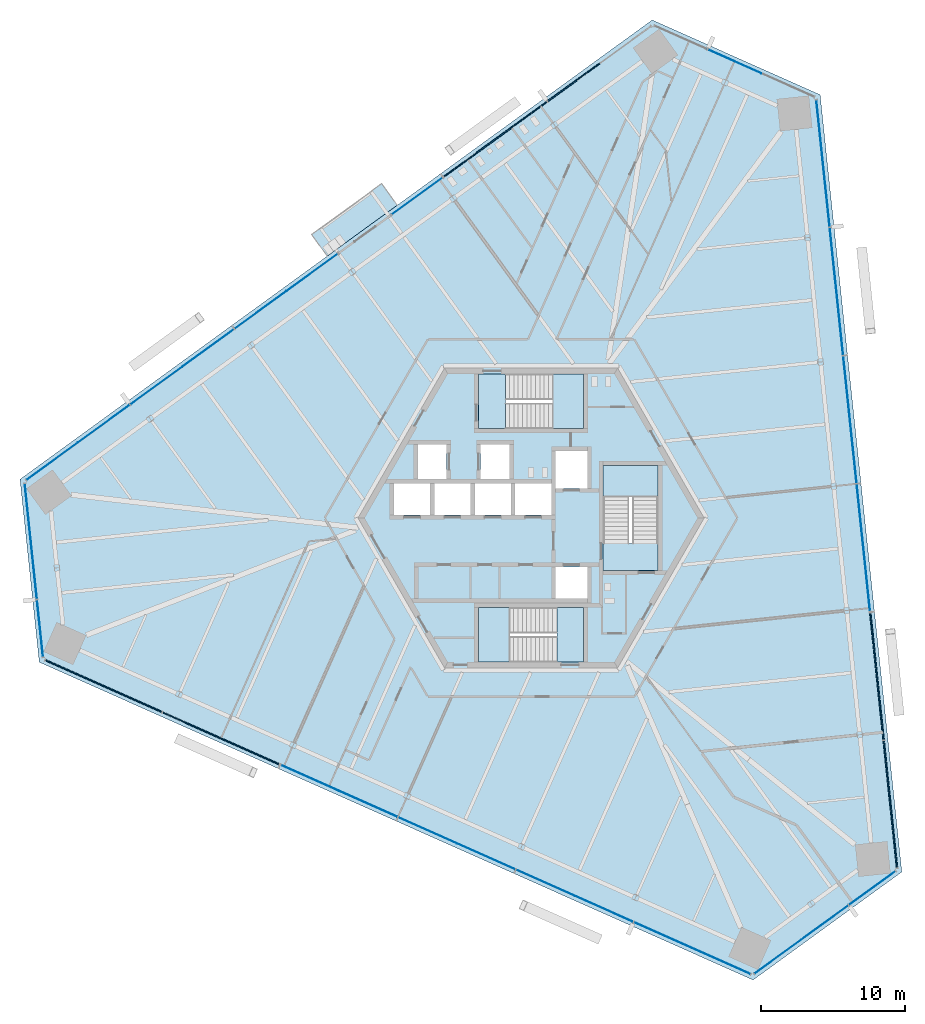
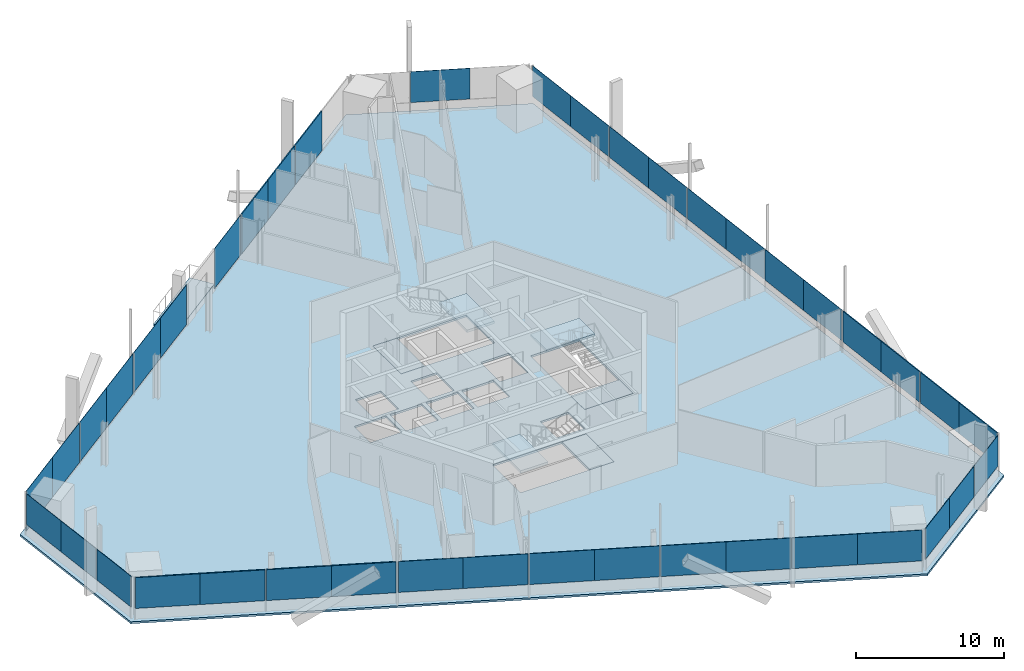
# One storey, part 10 of 21: 41 plates, 8 slabs, 13 elements without a shape of their own.
"""IFC4 building model written with IfcOpenShell, lengths in metres."""

from ifc_helpers import new_model, si_unit, direction, frame, origin, origin_2d, place, context, subcontext, project, spatial, polyline, rectangle, outline, extrude, source, transform, mapped, material, layer, layer_set, type_object, element, aggregate, save


model = new_model("IFC4")

# Units and contexts
model_context = context("Model", 3, precision=1e-05, world=origin(), true_north=direction((0.0, 1.0)))
body_context = subcontext(model_context, "Body", "Model", "MODEL_VIEW")
ifc_project = project(units=[si_unit("LENGTHUNIT", "METRE"), si_unit("AREAUNIT", "SQUARE_METRE"), si_unit("VOLUMEUNIT", "CUBIC_METRE"), si_unit("PLANEANGLEUNIT", "RADIAN"), si_unit("MASSUNIT", "GRAM", prefix="KILO")], contexts=[model_context])

# Site, building, storey
site_placement = place(None, origin())
site = spatial("IfcSite", under=ifc_project, at=site_placement, CompositionType="ELEMENT")
building_placement = place(site_placement, origin())
building = spatial("IfcBuilding", under=site, at=building_placement, Name="Triune Harvest Tower", CompositionType="ELEMENT")
storey_placement = place(building_placement, frame((0.0, 0.0, 65.699951171875)))
storey = spatial("IfcBuildingStorey", under=building, at=storey_placement, Name="L15", CompositionType="ELEMENT", Elevation=65.699951171875)

# Slab
ifc_material_1 = material(Name="Concrete 40 MPa", Category="concrete")
ifc_layer_1 = layer(ifc_material_1, 0.159912109375)
ifc_layer_set_1 = layer_set([ifc_layer_1], Name="Concrete 40 MPa")
slab_type_1 = type_object("IfcSlabType", Name="BA-1 balcony slab 160", PredefinedType="FLOOR", material=ifc_layer_set_1)
slab_1_placement = place(storey_placement, frame((0.0, 0.0, -0.159912109375)))
element("IfcSlab", 1, at=slab_1_placement, inside=storey, type_object=slab_type_1, Name="Balcony slab B2-F3 L15.6", PredefinedType="FLOOR", context=body_context, shape_type="SweptSolid", body=[
    extrude(outline(polyline([(-9.276123046875, 21.687255859375), (-14.13037109375, 18.160400390625), (-15.214599609375, 19.65283203125), (-10.360595703125, 23.1796875), (-9.276123046875, 21.687255859375)])), origin(), (0.0, 0.0, 1.0), 0.159912109375),
])

# Curtain wall, plate
ifc_material_2 = material(Name="Aluminium bronze anodised", Category="aluminium")
curtain_wall_type_1 = type_object("IfcCurtainWallType", Name="CW-6 Balcony window wall", PredefinedType="NOTDEFINED", material=ifc_material_2)
curtain_wall_1_placement = place(storey_placement, origin())
curtain_wall_1 = element("IfcCurtainWall", 2, at=curtain_wall_1_placement, inside=storey, type_object=curtain_wall_type_1, Name="CW-6 B2-F3 L15 run 1001")
ifc_material_3 = material(Name="Glass", Category="glass")
ifc_layer_2 = layer(ifc_material_3, 0.030029296875)
ifc_layer_set_2 = layer_set([ifc_layer_2], Name="Glass")
plate_type_1 = type_object("IfcPlateType", Name="GL-6 panel 30", PredefinedType="CURTAIN_PANEL", material=ifc_layer_set_2)
plate_1_placement = place(storey_placement, frame((-7.9052734375, 22.3125, 0.150146484375), z_axis=(0.0, 0.0, 1.0), x_axis=(-0.809016212983, -0.587786327785, 0.0)))
plate_1 = element("IfcPlate", 3, at=plate_1_placement, type_object=plate_type_1, Name="CW-6 panel B2-F3 1001.1", PredefinedType="CURTAIN_PANEL", context=body_context, shape_type="SweptSolid", body=[
    extrude(rectangle(XDim=4.317626953125, YDim=0.030029296875, at=origin_2d()), origin(), (0.0, 0.0, 1.0), 3.2900390625),
])
aggregate(curtain_wall_1, [plate_1])

# Slab
ifc_material_4 = material(Name="Concrete 40 MPa", Category="concrete")
ifc_layer_3 = layer(ifc_material_4, 0.159912109375)
ifc_layer_set_3 = layer_set([ifc_layer_3], Name="Concrete 40 MPa")
slab_type_2 = type_object("IfcSlabType", Name="SL-1 Composite floor slab 160", PredefinedType="FLOOR", material=ifc_layer_set_3)
shared_shape_1 = source(origin(), body_context, "Body", "SweptSolid", [
    extrude(outline(polyline([(25.703125, -24.534423828125), (20.04052734375, 29.34228515625), (8.395751953125, 34.526611328125), (-35.431396484375, 2.6845703125), (-34.098876953125, -9.992431640625), (15.390869140625, -32.026611328125), (25.703125, -24.534423828125)]), holes=[polyline([(-7.0, 0.2099609375), (-7.0, 2.409912109375), (-9.5, 2.409912109375), (-9.5, 0.2099609375), (-7.0, 0.2099609375)]), polyline([(-4.199951171875, 0.2099609375), (-4.199951171875, 2.409912109375), (-6.699951171875, 2.409912109375), (-6.699951171875, 0.2099609375), (-4.199951171875, 0.2099609375)]), polyline([(-1.39990234375, 0.2099609375), (-1.39990234375, 2.409912109375), (-3.89990234375, 2.409912109375), (-3.89990234375, 0.2099609375), (-1.39990234375, 0.2099609375)]), polyline([(1.39990234375, 0.2099609375), (1.39990234375, 2.409912109375), (-1.10009765625, 2.409912109375), (-1.10009765625, 0.2099609375), (1.39990234375, 0.2099609375)]), polyline([(3.89990234375, 2.06005859375), (3.89990234375, 4.659912109375), (1.699951171875, 4.659912109375), (1.699951171875, 2.06005859375), (3.89990234375, 2.06005859375)]), polyline([(3.89990234375, -5.590087890625), (3.89990234375, -3.389892578125), (1.699951171875, -3.389892578125), (1.699951171875, -5.590087890625), (3.89990234375, -5.590087890625)]), polyline([(-5.85009765625, 2.7099609375), (-5.85009765625, 5.110107421875), (-7.85009765625, 5.110107421875), (-7.85009765625, 2.7099609375), (-5.85009765625, 2.7099609375)]), polyline([(-1.5, 2.7099609375), (-1.5, 5.110107421875), (-3.5, 5.110107421875), (-3.5, 2.7099609375), (-1.5, 2.7099609375)]), polyline([(3.64990234375, 6.18994140625), (3.64990234375, 9.989990234375), (-3.64990234375, 9.989990234375), (-3.64990234375, 6.18994140625), (3.64990234375, 6.18994140625)]), polyline([(3.64990234375, -9.989990234375), (3.64990234375, -6.18994140625), (-3.64990234375, -6.18994140625), (-3.64990234375, -9.989990234375), (3.64990234375, -9.989990234375)]), polyline([(8.800048828125, -3.64990234375), (8.800048828125, 3.64990234375), (5.0, 3.64990234375), (5.0, -3.64990234375), (8.800048828125, -3.64990234375)])]), origin(), (0.0, 0.0, 1.0), 0.159912109375),
])
slab_2_placement = place(storey_placement, frame((0.0, 0.0, -0.159912109375)))
element("IfcSlab", 4, at=slab_2_placement, inside=storey, type_object=slab_type_2, Name="slab/L15/1", PredefinedType="FLOOR", context=body_context, shape_type="MappedRepresentation", body=[
    mapped(shared_shape_1, transform((0.0, 0.0, 0.0), scale=1.0)),
])

# Stair, slabs
ifc_material_5 = material(Name="Concrete 40 MPa", Category="concrete")
stair_type = type_object("IfcStairType", Name="Exit stair 1800 half turn", PredefinedType="HALF_TURN_STAIR", material=ifc_material_5)
stair_1_placement = place(storey_placement, origin())
stair_1 = element("IfcStair", 5, at=stair_1_placement, inside=storey, type_object=stair_type, Name="Exit stair north", PredefinedType="HALF_TURN_STAIR")
ifc_material_6 = material(Name="Concrete 40 MPa", Category="concrete")
ifc_layer_4 = layer(ifc_material_6, 0.199951171875)
ifc_layer_set_4 = layer_set([ifc_layer_4], Name="Concrete 40 MPa")
slab_type_3 = type_object("IfcSlabType", Name="Stair landing 200", PredefinedType="LANDING", material=ifc_layer_set_4)
shared_shape_2 = source(origin(), body_context, "Body", "SweptSolid", [
    extrude(outline(polyline([(1.510009765625, 6.18994140625), (3.64990234375, 6.18994140625), (3.64990234375, 9.989990234375), (1.510009765625, 9.989990234375), (1.510009765625, 6.18994140625)])), origin(), (0.0, 0.0, 1.0), 0.199951171875),
])
slab_3_placement = place(storey_placement, frame((0.0, 0.0, 1.60009765625)))
slab_3 = element("IfcSlab", 6, at=slab_3_placement, type_object=slab_type_3, Name="ST-1 landing 2", PredefinedType="LANDING", context=body_context, shape_type="MappedRepresentation", body=[
    mapped(shared_shape_2, transform((0.0, 0.0, 0.0), scale=1.0)),
])
shared_shape_3 = source(origin(), body_context, "Body", "SweptSolid", [
    extrude(outline(polyline([(-3.64990234375, 6.18994140625), (-1.780029296875, 6.18994140625), (-1.780029296875, 9.989990234375), (-3.64990234375, 9.989990234375), (-3.64990234375, 6.18994140625)])), origin(), (0.0, 0.0, 1.0), 0.199951171875),
])
slab_4_placement = place(storey_placement, frame((0.0, 0.0, -0.199951171875)))
slab_4 = element("IfcSlab", 7, at=slab_4_placement, type_object=slab_type_3, Name="ST-1 landing 1", PredefinedType="LANDING", context=body_context, shape_type="MappedRepresentation", body=[
    mapped(shared_shape_3, transform((0.0, 0.0, 0.0), scale=1.0)),
])
aggregate(stair_1, [slab_4, slab_3])

stair_2_placement = place(storey_placement, origin())
stair_2 = element("IfcStair", 8, at=stair_2_placement, inside=storey, type_object=stair_type, Name="Exit stair south", PredefinedType="HALF_TURN_STAIR")
shared_shape_4 = source(origin(), body_context, "Body", "SweptSolid", [
    extrude(outline(polyline([(-1.510009765625, -6.18994140625), (-3.64990234375, -6.18994140625), (-3.64990234375, -9.989990234375), (-1.510009765625, -9.989990234375), (-1.510009765625, -6.18994140625)])), origin(), (0.0, 0.0, 1.0), 0.199951171875),
])
slab_5_placement = place(storey_placement, frame((0.0, 0.0, 1.60009765625)))
slab_5 = element("IfcSlab", 9, at=slab_5_placement, type_object=slab_type_3, Name="ST-2 landing 2", PredefinedType="LANDING", context=body_context, shape_type="MappedRepresentation", body=[
    mapped(shared_shape_4, transform((0.0, 0.0, 0.0), scale=1.0)),
])
shared_shape_5 = source(origin(), body_context, "Body", "SweptSolid", [
    extrude(outline(polyline([(3.64990234375, -6.18994140625), (1.780029296875, -6.18994140625), (1.780029296875, -9.989990234375), (3.64990234375, -9.989990234375), (3.64990234375, -6.18994140625)])), origin(), (0.0, 0.0, 1.0), 0.199951171875),
])
slab_6_placement = place(storey_placement, frame((0.0, 0.0, -0.199951171875)))
slab_6 = element("IfcSlab", 10, at=slab_6_placement, type_object=slab_type_3, Name="ST-2 landing 1", PredefinedType="LANDING", context=body_context, shape_type="MappedRepresentation", body=[
    mapped(shared_shape_5, transform((0.0, 0.0, 0.0), scale=1.0)),
])
aggregate(stair_2, [slab_6, slab_5])

stair_3_placement = place(storey_placement, origin())
stair_3 = element("IfcStair", 11, at=stair_3_placement, inside=storey, type_object=stair_type, Name="Exit stair east", PredefinedType="HALF_TURN_STAIR")
shared_shape_6 = source(origin(), body_context, "Body", "SweptSolid", [
    extrude(outline(polyline([(8.800048828125, 1.510009765625), (8.800048828125, 3.64990234375), (5.0, 3.64990234375), (5.0, 1.510009765625), (8.800048828125, 1.510009765625)])), origin(), (0.0, 0.0, 1.0), 0.199951171875),
])
slab_7_placement = place(storey_placement, frame((0.0, 0.0, 1.60009765625)))
slab_7 = element("IfcSlab", 12, at=slab_7_placement, type_object=slab_type_3, Name="ST-3 landing 2", PredefinedType="LANDING", context=body_context, shape_type="MappedRepresentation", body=[
    mapped(shared_shape_6, transform((0.0, 0.0, 0.0), scale=1.0)),
])
shared_shape_7 = source(origin(), body_context, "Body", "SweptSolid", [
    extrude(outline(polyline([(8.800048828125, -3.64990234375), (8.800048828125, -1.780029296875), (5.0, -1.780029296875), (5.0, -3.64990234375), (8.800048828125, -3.64990234375)])), origin(), (0.0, 0.0, 1.0), 0.199951171875),
])
slab_8_placement = place(storey_placement, frame((0.0, 0.0, -0.199951171875)))
slab_8 = element("IfcSlab", 13, at=slab_8_placement, type_object=slab_type_3, Name="ST-3 landing 1", PredefinedType="LANDING", context=body_context, shape_type="MappedRepresentation", body=[
    mapped(shared_shape_7, transform((0.0, 0.0, 0.0), scale=1.0)),
])
aggregate(stair_3, [slab_8, slab_7])

# Curtain wall, plate
ifc_material_7 = material(Name="Aluminium bronze anodised", Category="aluminium")
curtain_wall_type_2 = type_object("IfcCurtainWallType", Name="CW-1 Tower stick curtain wall", PredefinedType="NOTDEFINED", material=ifc_material_7)
curtain_wall_2_placement = place(storey_placement, origin())
curtain_wall_2 = element("IfcCurtainWall", 14, at=curtain_wall_2_placement, inside=storey, type_object=curtain_wall_type_2, Name="CW-1 B2-F4 L15 run 1")
ifc_material_8 = material(Name="Glass", Category="glass")
ifc_layer_5 = layer(ifc_material_8, 0.031982421875)
ifc_layer_set_5 = layer_set([ifc_layer_5], Name="Glass")
plate_type_2 = type_object("IfcPlateType", Name="GL-1 panel 32", PredefinedType="CURTAIN_PANEL", material=ifc_layer_set_5)
shared_shape_8 = source(origin(), body_context, "Body", "SweptSolid", [
    extrude(rectangle(XDim=3.99853515625, YDim=0.031982421875, at=origin_2d()), origin(), (0.0, 0.0, 1.0), 2.5400390625),
])
plate_2_placement = place(storey_placement, frame((-34.888671875, 0.39111328125, 0.900146484375), z_axis=(0.0, 0.0, 1.0), x_axis=(0.104529462601, -0.994521790334, 0.0)))
plate_2 = element("IfcPlate", 15, at=plate_2_placement, type_object=plate_type_2, Name="CW-1 panel B2-F4 1.1", PredefinedType="CURTAIN_PANEL", context=body_context, shape_type="MappedRepresentation", body=[
    mapped(shared_shape_8, transform((0.0, 0.0, 0.0), scale=1.0)),
])

curtain_wall_3_placement = place(storey_placement, origin())
curtain_wall_3 = element("IfcCurtainWall", 16, at=curtain_wall_3_placement, inside=storey, type_object=curtain_wall_type_2, Name="CW-1 B2-F2 L15 run 1")
shared_shape_9 = source(origin(), body_context, "Body", "SweptSolid", [
    extrude(rectangle(XDim=4.035888671875, YDim=0.031982421875, at=origin_2d()), origin(), (0.0, 0.0, 1.0), 2.5400390625),
])
plate_3_placement = place(storey_placement, frame((14.11328125, 31.65283203125, 0.900146484375), z_axis=(0.0, 0.0, 1.0), x_axis=(-0.913546644034, 0.406733978386, 0.0)))
plate_3 = element("IfcPlate", 17, at=plate_3_placement, type_object=plate_type_2, Name="CW-1 panel B2-F2 1.2", PredefinedType="CURTAIN_PANEL", context=body_context, shape_type="MappedRepresentation", body=[
    mapped(shared_shape_9, transform((0.0, 0.0, 0.0), scale=1.0)),
])
aggregate(curtain_wall_3, [plate_3])

# Plate
plate_4_placement = place(storey_placement, frame((-34.46875, -3.60400390625, 0.900146484375), z_axis=(0.0, 0.0, 1.0), x_axis=(0.104529462601, -0.994521790334, 0.0)))
plate_4 = element("IfcPlate", 18, at=plate_4_placement, type_object=plate_type_2, Name="CW-1 panel B2-F4 1.2", PredefinedType="CURTAIN_PANEL", context=body_context, shape_type="MappedRepresentation", body=[
    mapped(shared_shape_9, transform((0.0, 0.0, 0.0), scale=1.0)),
])

# Curtain wall, plate
curtain_wall_4_placement = place(storey_placement, origin())
curtain_wall_4 = element("IfcCurtainWall", 19, at=curtain_wall_4_placement, inside=storey, type_object=curtain_wall_type_2, Name="CW-1 B2-F6 L15 run 1")
plate_5_placement = place(storey_placement, frame((20.35546875, -28.048828125, 0.900146484375), z_axis=(0.0, 0.0, 1.0), x_axis=(0.809013235692, 0.58779042564, 0.0)))
plate_5 = element("IfcPlate", 20, at=plate_5_placement, type_object=plate_type_2, Name="CW-1 panel B2-F6 1.2", PredefinedType="CURTAIN_PANEL", context=body_context, shape_type="MappedRepresentation", body=[
    mapped(shared_shape_9, transform((0.0, 0.0, 0.0), scale=1.0)),
])

# Plate
shared_shape_10 = source(origin(), body_context, "Body", "SweptSolid", [
    extrude(rectangle(XDim=3.9609375, YDim=0.031982421875, at=origin_2d()), origin(), (0.0, 0.0, 1.0), 2.5400390625),
])
plate_6_placement = place(storey_placement, frame((-34.04296875, -7.655029296875, 0.900146484375), z_axis=(0.0, 0.0, 1.0), x_axis=(0.104529462601, -0.994521790334, 0.0)))
plate_6 = element("IfcPlate", 21, at=plate_6_placement, type_object=plate_type_2, Name="CW-1 panel B2-F4 1.3", PredefinedType="CURTAIN_PANEL", context=body_context, shape_type="MappedRepresentation", body=[
    mapped(shared_shape_10, transform((0.0, 0.0, 0.0), scale=1.0)),
])

aggregate(curtain_wall_2, [plate_2, plate_4, plate_6])

plate_7_placement = place(storey_placement, frame((23.65087890625, -25.654541015625, 0.900146484375), z_axis=(0.0, 0.0, 1.0), x_axis=(0.809013235692, 0.58779042564, 0.0)))
plate_7 = element("IfcPlate", 22, at=plate_7_placement, type_object=plate_type_2, Name="CW-1 panel B2-F6 1.3", PredefinedType="CURTAIN_PANEL", context=body_context, shape_type="MappedRepresentation", body=[
    mapped(shared_shape_10, transform((0.0, 0.0, 0.0), scale=1.0)),
])

shared_shape_11 = source(origin(), body_context, "Body", "SweptSolid", [
    extrude(rectangle(XDim=3.998291015625, YDim=0.031982421875, at=origin_2d()), origin(), (0.0, 0.0, 1.0), 2.5400390625),
])
plate_8_placement = place(storey_placement, frame((17.10546875, -30.41015625, 0.900146484375), z_axis=(0.0, 0.0, 1.0), x_axis=(0.809013235692, 0.58779042564, 0.0)))
plate_8 = element("IfcPlate", 23, at=plate_8_placement, type_object=plate_type_2, Name="CW-1 panel B2-F6 1.1", PredefinedType="CURTAIN_PANEL", context=body_context, shape_type="MappedRepresentation", body=[
    mapped(shared_shape_11, transform((0.0, 0.0, 0.0), scale=1.0)),
])

aggregate(curtain_wall_4, [plate_8, plate_5, plate_7])

# Curtain wall, plates
ifc_material_9 = material(Name="Aluminium bronze anodised", Category="aluminium")
curtain_wall_type_3 = type_object("IfcCurtainWallType", Name="CW-7 Tower stick curtain wall with insulated spandrel infill", PredefinedType="NOTDEFINED", material=ifc_material_9)
curtain_wall_5_placement = place(storey_placement, origin())
curtain_wall_5 = element("IfcCurtainWall", 24, at=curtain_wall_5_placement, inside=storey, type_object=curtain_wall_type_3, Name="CW-7 B2-F1 L15 run 1")
ifc_material_10 = material(Name="Insulated spandrel panel, bronze aluminium pan", Category="aluminium")
ifc_layer_6 = layer(ifc_material_10, 0.080078125)
ifc_layer_set_6 = layer_set([ifc_layer_6], Name="Insulated spandrel panel, bronze aluminium pan")
plate_type_3 = type_object("IfcPlateType", Name="SP-1 insulated spandrel panel 80", PredefinedType="CURTAIN_PANEL", material=ifc_layer_set_6)
shared_shape_12 = source(origin(), body_context, "Body", "SweptSolid", [
    extrude(rectangle(XDim=4.3955078125, YDim=0.080078125, at=origin_2d()), origin(), (0.0, 0.0, 1.0), 2.5400390625),
])
plate_9_placement = place(storey_placement, frame((25.1396484375, -22.043701171875, 0.900146484375), z_axis=(0.0, 0.0, 1.0), x_axis=(-0.104527218444, 0.994522026204, 0.0)))
plate_9 = element("IfcPlate", 25, at=plate_9_placement, type_object=plate_type_3, Name="CW-7 panel B2-F1 1.1", PredefinedType="CURTAIN_PANEL", context=body_context, shape_type="MappedRepresentation", body=[
    mapped(shared_shape_12, transform((0.0, 0.0, 0.0), scale=1.0)),
])
plate_10_placement = place(storey_placement, frame((23.74560546875, -8.780029296875, 0.900146484375), z_axis=(0.0, 0.0, 1.0), x_axis=(-0.104527218444, 0.994522026204, 0.0)))
plate_10 = element("IfcPlate", 26, at=plate_10_placement, type_object=plate_type_3, Name="CW-7 panel B2-F1 1.4", PredefinedType="CURTAIN_PANEL", context=body_context, shape_type="MappedRepresentation", body=[
    mapped(shared_shape_12, transform((0.0, 0.0, 0.0), scale=1.0)),
])

curtain_wall_6_placement = place(storey_placement, origin())
curtain_wall_6 = element("IfcCurtainWall", 27, at=curtain_wall_6_placement, inside=storey, type_object=curtain_wall_type_3, Name="CW-7 B2-F5 L15 run 1")
plate_11_placement = place(storey_placement, frame((-31.66015625, -10.749755859375, 0.900146484375), z_axis=(0.0, 0.0, 1.0), x_axis=(0.913545192307, -0.406737239029, 0.0)))
plate_11 = element("IfcPlate", 28, at=plate_11_placement, type_object=plate_type_3, Name="CW-7 panel B2-F5 1.1", PredefinedType="CURTAIN_PANEL", context=body_context, shape_type="MappedRepresentation", body=[
    mapped(shared_shape_12, transform((0.0, 0.0, 0.0), scale=1.0)),
])
plate_12_placement = place(storey_placement, frame((-19.476318359375, -16.17431640625, 0.900146484375), z_axis=(0.0, 0.0, 1.0), x_axis=(0.913545192307, -0.406737239029, 0.0)))
plate_12 = element("IfcPlate", 29, at=plate_12_placement, type_object=plate_type_3, Name="CW-7 panel B2-F5 1.4", PredefinedType="CURTAIN_PANEL", context=body_context, shape_type="MappedRepresentation", body=[
    mapped(shared_shape_12, transform((0.0, 0.0, 0.0), scale=1.0)),
])

# Plate
shared_shape_13 = source(origin(), body_context, "Body", "SweptSolid", [
    extrude(rectangle(XDim=4.43310546875, YDim=0.080078125, at=origin_2d()), origin(), (0.0, 0.0, 1.0), 2.5400390625),
])
plate_13_placement = place(storey_placement, frame((24.67822265625, -17.653564453125, 0.900146484375), z_axis=(0.0, 0.0, 1.0), x_axis=(-0.104527218444, 0.994522026204, 0.0)))
plate_13 = element("IfcPlate", 30, at=plate_13_placement, type_object=plate_type_3, Name="CW-7 panel B2-F1 1.2", PredefinedType="CURTAIN_PANEL", context=body_context, shape_type="MappedRepresentation", body=[
    mapped(shared_shape_13, transform((0.0, 0.0, 0.0), scale=1.0)),
])

plate_14_placement = place(storey_placement, frame((24.20703125, -13.170166015625, 0.900146484375), z_axis=(0.0, 0.0, 1.0), x_axis=(-0.104527218444, 0.994522026204, 0.0)))
plate_14 = element("IfcPlate", 31, at=plate_14_placement, type_object=plate_type_3, Name="CW-7 panel B2-F1 1.3", PredefinedType="CURTAIN_PANEL", context=body_context, shape_type="MappedRepresentation", body=[
    mapped(shared_shape_13, transform((0.0, 0.0, 0.0), scale=1.0)),
])

aggregate(curtain_wall_5, [plate_9, plate_13, plate_14, plate_10])

plate_15_placement = place(storey_placement, frame((-27.62744140625, -12.54541015625, 0.900146484375), z_axis=(0.0, 0.0, 1.0), x_axis=(0.913545192307, -0.406737239029, 0.0)))
plate_15 = element("IfcPlate", 32, at=plate_15_placement, type_object=plate_type_3, Name="CW-7 panel B2-F5 1.2", PredefinedType="CURTAIN_PANEL", context=body_context, shape_type="MappedRepresentation", body=[
    mapped(shared_shape_13, transform((0.0, 0.0, 0.0), scale=1.0)),
])

plate_16_placement = place(storey_placement, frame((-23.509033203125, -14.37890625, 0.900146484375), z_axis=(0.0, 0.0, 1.0), x_axis=(0.913545192307, -0.406737239029, 0.0)))
plate_16 = element("IfcPlate", 33, at=plate_16_placement, type_object=plate_type_3, Name="CW-7 panel B2-F5 1.3", PredefinedType="CURTAIN_PANEL", context=body_context, shape_type="MappedRepresentation", body=[
    mapped(shared_shape_13, transform((0.0, 0.0, 0.0), scale=1.0)),
])

aggregate(curtain_wall_6, [plate_11, plate_15, plate_16, plate_12])

# Curtain wall, plates
curtain_wall_7_placement = place(storey_placement, origin())
curtain_wall_7 = element("IfcCurtainWall", 34, at=curtain_wall_7_placement, inside=storey, type_object=curtain_wall_type_2, Name="CW-1 B2-F1 L15 run 1001")
shared_shape_14 = source(origin(), body_context, "Body", "SweptSolid", [
    extrude(rectangle(XDim=4.3955078125, YDim=0.031982421875, at=origin_2d()), origin(), (0.0, 0.0, 1.0), 2.5400390625),
])
plate_17_placement = place(storey_placement, frame((23.2705078125, -4.25927734375, 0.900146484375), z_axis=(0.0, 0.0, 1.0), x_axis=(-0.104527695624, 0.994521976051, 0.0)))
plate_17 = element("IfcPlate", 35, at=plate_17_placement, type_object=plate_type_2, Name="CW-1 panel B2-F1 1001.1", PredefinedType="CURTAIN_PANEL", context=body_context, shape_type="MappedRepresentation", body=[
    mapped(shared_shape_14, transform((0.0, 0.0, 0.0), scale=1.0)),
])
plate_18_placement = place(storey_placement, frame((20.007080078125, 26.788818359375, 0.900146484375), z_axis=(0.0, 0.0, 1.0), x_axis=(-0.104527695624, 0.994521976051, 0.0)))
plate_18 = element("IfcPlate", 36, at=plate_18_placement, type_object=plate_type_2, Name="CW-1 panel B2-F1 1001.8", PredefinedType="CURTAIN_PANEL", context=body_context, shape_type="MappedRepresentation", body=[
    mapped(shared_shape_14, transform((0.0, 0.0, 0.0), scale=1.0)),
])

curtain_wall_8_placement = place(storey_placement, origin())
curtain_wall_8 = element("IfcCurtainWall", 37, at=curtain_wall_8_placement, inside=storey, type_object=curtain_wall_type_2, Name="CW-1 B2-F5 L15 run 1001")
plate_19_placement = place(storey_placement, frame((-15.32373046875, -18.023193359375, 0.900146484375), z_axis=(0.0, 0.0, 1.0), x_axis=(0.913545214555, -0.406737189059, 0.0)))
plate_19 = element("IfcPlate", 38, at=plate_19_placement, type_object=plate_type_2, Name="CW-1 panel B2-F5 1001.1", PredefinedType="CURTAIN_PANEL", context=body_context, shape_type="MappedRepresentation", body=[
    mapped(shared_shape_14, transform((0.0, 0.0, 0.0), scale=1.0)),
])
plate_20_placement = place(storey_placement, frame((13.1962890625, -30.72119140625, 0.900146484375), z_axis=(0.0, 0.0, 1.0), x_axis=(0.913545214555, -0.406737189059, 0.0)))
plate_20 = element("IfcPlate", 39, at=plate_20_placement, type_object=plate_type_2, Name="CW-1 panel B2-F5 1001.8", PredefinedType="CURTAIN_PANEL", context=body_context, shape_type="MappedRepresentation", body=[
    mapped(shared_shape_14, transform((0.0, 0.0, 0.0), scale=1.0)),
])

# Plate
shared_shape_15 = source(origin(), body_context, "Body", "SweptSolid", [
    extrude(rectangle(XDim=4.43310546875, YDim=0.031982421875, at=origin_2d()), origin(), (0.0, 0.0, 1.0), 2.5400390625),
])
plate_21_placement = place(storey_placement, frame((22.80908203125, 0.130859375, 0.900146484375), z_axis=(0.0, 0.0, 1.0), x_axis=(-0.104527695624, 0.994521976051, 0.0)))
plate_21 = element("IfcPlate", 40, at=plate_21_placement, type_object=plate_type_2, Name="CW-1 panel B2-F1 1001.2", PredefinedType="CURTAIN_PANEL", context=body_context, shape_type="MappedRepresentation", body=[
    mapped(shared_shape_15, transform((0.0, 0.0, 0.0), scale=1.0)),
])

plate_22_placement = place(storey_placement, frame((22.337890625, 4.6142578125, 0.900146484375), z_axis=(0.0, 0.0, 1.0), x_axis=(-0.104527695624, 0.994521976051, 0.0)))
plate_22 = element("IfcPlate", 41, at=plate_22_placement, type_object=plate_type_2, Name="CW-1 panel B2-F1 1001.3", PredefinedType="CURTAIN_PANEL", context=body_context, shape_type="MappedRepresentation", body=[
    mapped(shared_shape_15, transform((0.0, 0.0, 0.0), scale=1.0)),
])

plate_23_placement = place(storey_placement, frame((21.87451171875, 9.02294921875, 0.900146484375), z_axis=(0.0, 0.0, 1.0), x_axis=(-0.104527695624, 0.994521976051, 0.0)))
plate_23 = element("IfcPlate", 42, at=plate_23_placement, type_object=plate_type_2, Name="CW-1 panel B2-F1 1001.4", PredefinedType="CURTAIN_PANEL", context=body_context, shape_type="MappedRepresentation", body=[
    mapped(shared_shape_15, transform((0.0, 0.0, 0.0), scale=1.0)),
])

plate_24_placement = place(storey_placement, frame((21.403076171875, 13.50634765625, 0.900146484375), z_axis=(0.0, 0.0, 1.0), x_axis=(-0.104527695624, 0.994521976051, 0.0)))
plate_24 = element("IfcPlate", 43, at=plate_24_placement, type_object=plate_type_2, Name="CW-1 panel B2-F1 1001.5", PredefinedType="CURTAIN_PANEL", context=body_context, shape_type="MappedRepresentation", body=[
    mapped(shared_shape_15, transform((0.0, 0.0, 0.0), scale=1.0)),
])

plate_25_placement = place(storey_placement, frame((20.939697265625, 17.915283203125, 0.900146484375), z_axis=(0.0, 0.0, 1.0), x_axis=(-0.104527695624, 0.994521976051, 0.0)))
plate_25 = element("IfcPlate", 44, at=plate_25_placement, type_object=plate_type_2, Name="CW-1 panel B2-F1 1001.6", PredefinedType="CURTAIN_PANEL", context=body_context, shape_type="MappedRepresentation", body=[
    mapped(shared_shape_15, transform((0.0, 0.0, 0.0), scale=1.0)),
])

plate_26_placement = place(storey_placement, frame((20.468505859375, 22.398681640625, 0.900146484375), z_axis=(0.0, 0.0, 1.0), x_axis=(-0.104527695624, 0.994521976051, 0.0)))
plate_26 = element("IfcPlate", 45, at=plate_26_placement, type_object=plate_type_2, Name="CW-1 panel B2-F1 1001.7", PredefinedType="CURTAIN_PANEL", context=body_context, shape_type="MappedRepresentation", body=[
    mapped(shared_shape_15, transform((0.0, 0.0, 0.0), scale=1.0)),
])

aggregate(curtain_wall_7, [plate_17, plate_21, plate_22, plate_23, plate_24, plate_25, plate_26, plate_18])

plate_27_placement = place(storey_placement, frame((-11.291015625, -19.818603515625, 0.900146484375), z_axis=(0.0, 0.0, 1.0), x_axis=(0.913545214555, -0.406737189059, 0.0)))
plate_27 = element("IfcPlate", 46, at=plate_27_placement, type_object=plate_type_2, Name="CW-1 panel B2-F5 1001.2", PredefinedType="CURTAIN_PANEL", context=body_context, shape_type="MappedRepresentation", body=[
    mapped(shared_shape_15, transform((0.0, 0.0, 0.0), scale=1.0)),
])

plate_28_placement = place(storey_placement, frame((-7.1728515625, -21.65234375, 0.900146484375), z_axis=(0.0, 0.0, 1.0), x_axis=(0.913545214555, -0.406737189059, 0.0)))
plate_28 = element("IfcPlate", 47, at=plate_28_placement, type_object=plate_type_2, Name="CW-1 panel B2-F5 1001.3", PredefinedType="CURTAIN_PANEL", context=body_context, shape_type="MappedRepresentation", body=[
    mapped(shared_shape_15, transform((0.0, 0.0, 0.0), scale=1.0)),
])

plate_29_placement = place(storey_placement, frame((-3.123046875, -23.455322265625, 0.900146484375), z_axis=(0.0, 0.0, 1.0), x_axis=(0.913545214555, -0.406737189059, 0.0)))
plate_29 = element("IfcPlate", 48, at=plate_29_placement, type_object=plate_type_2, Name="CW-1 panel B2-F5 1001.4", PredefinedType="CURTAIN_PANEL", context=body_context, shape_type="MappedRepresentation", body=[
    mapped(shared_shape_15, transform((0.0, 0.0, 0.0), scale=1.0)),
])

plate_30_placement = place(storey_placement, frame((0.995361328125, -25.2890625, 0.900146484375), z_axis=(0.0, 0.0, 1.0), x_axis=(0.913545214555, -0.406737189059, 0.0)))
plate_30 = element("IfcPlate", 49, at=plate_30_placement, type_object=plate_type_2, Name="CW-1 panel B2-F5 1001.5", PredefinedType="CURTAIN_PANEL", context=body_context, shape_type="MappedRepresentation", body=[
    mapped(shared_shape_15, transform((0.0, 0.0, 0.0), scale=1.0)),
])

plate_31_placement = place(storey_placement, frame((5.045166015625, -27.092041015625, 0.900146484375), z_axis=(0.0, 0.0, 1.0), x_axis=(0.913545214555, -0.406737189059, 0.0)))
plate_31 = element("IfcPlate", 50, at=plate_31_placement, type_object=plate_type_2, Name="CW-1 panel B2-F5 1001.6", PredefinedType="CURTAIN_PANEL", context=body_context, shape_type="MappedRepresentation", body=[
    mapped(shared_shape_15, transform((0.0, 0.0, 0.0), scale=1.0)),
])

plate_32_placement = place(storey_placement, frame((9.16357421875, -28.92578125, 0.900146484375), z_axis=(0.0, 0.0, 1.0), x_axis=(0.913545214555, -0.406737189059, 0.0)))
plate_32 = element("IfcPlate", 51, at=plate_32_placement, type_object=plate_type_2, Name="CW-1 panel B2-F5 1001.7", PredefinedType="CURTAIN_PANEL", context=body_context, shape_type="MappedRepresentation", body=[
    mapped(shared_shape_15, transform((0.0, 0.0, 0.0), scale=1.0)),
])

aggregate(curtain_wall_8, [plate_19, plate_27, plate_28, plate_29, plate_30, plate_31, plate_32, plate_20])

# Curtain wall, plates
ifc_material_11 = material(Name="Aluminium bronze anodised", Category="aluminium")
curtain_wall_type_4 = type_object("IfcCurtainWallType", Name="CW-10 Balcony window wall with insulated spandrel infill", PredefinedType="NOTDEFINED", material=ifc_material_11)
curtain_wall_9_placement = place(storey_placement, origin())
curtain_wall_9 = element("IfcCurtainWall", 52, at=curtain_wall_9_placement, inside=storey, type_object=curtain_wall_type_4, Name="CW-10 B2-F3 L15 run 1")
shared_shape_16 = source(origin(), body_context, "Body", "SweptSolid", [
    extrude(rectangle(XDim=4.392578125, YDim=0.080078125, at=origin_2d()), origin(), (0.0, 0.0, 1.0), 3.2900390625),
])
plate_33_placement = place(storey_placement, frame((-4.2607421875, 24.96044921875, 0.150146484375), z_axis=(0.0, 0.0, 1.0), x_axis=(-0.809017213554, -0.587784950618, 0.0)))
plate_33 = element("IfcPlate", 53, at=plate_33_placement, type_object=plate_type_3, Name="CW-10 panel B2-F3 1.4", PredefinedType="CURTAIN_PANEL", context=body_context, shape_type="MappedRepresentation", body=[
    mapped(shared_shape_16, transform((0.0, 0.0, 0.0), scale=1.0)),
])
shared_shape_17 = source(origin(), body_context, "Body", "SweptSolid", [
    extrude(rectangle(XDim=4.43017578125, YDim=0.080078125, at=origin_2d()), origin(), (0.0, 0.0, 1.0), 3.2900390625),
])
plate_34_placement = place(storey_placement, frame((2.952880859375, 30.201416015625, 0.150146484375), z_axis=(0.0, 0.0, 1.0), x_axis=(-0.809017213554, -0.587784950618, 0.0)))
plate_34 = element("IfcPlate", 54, at=plate_34_placement, type_object=plate_type_3, Name="CW-10 panel B2-F3 1.2", PredefinedType="CURTAIN_PANEL", context=body_context, shape_type="MappedRepresentation", body=[
    mapped(shared_shape_17, transform((0.0, 0.0, 0.0), scale=1.0)),
])
plate_35_placement = place(storey_placement, frame((-0.69189453125, 27.55322265625, 0.150146484375), z_axis=(0.0, 0.0, 1.0), x_axis=(-0.809017213554, -0.587784950618, 0.0)))
plate_35 = element("IfcPlate", 55, at=plate_35_placement, type_object=plate_type_3, Name="CW-10 panel B2-F3 1.3", PredefinedType="CURTAIN_PANEL", context=body_context, shape_type="MappedRepresentation", body=[
    mapped(shared_shape_17, transform((0.0, 0.0, 0.0), scale=1.0)),
])
aggregate(curtain_wall_9, [plate_34, plate_35, plate_33])

curtain_wall_10_placement = place(storey_placement, origin())
curtain_wall_10 = element("IfcCurtainWall", 56, at=curtain_wall_10_placement, inside=storey, type_object=curtain_wall_type_1, Name="CW-6 B2-F3 L15 run 2")
shared_shape_18 = source(origin(), body_context, "Body", "SweptSolid", [
    extrude(rectangle(XDim=4.3955078125, YDim=0.030029296875, at=origin_2d()), origin(), (0.0, 0.0, 1.0), 3.2900390625),
])
plate_36_placement = place(storey_placement, frame((-15.18017578125, 17.027099609375, 0.150146484375), z_axis=(0.0, 0.0, 1.0), x_axis=(-0.809017013446, -0.587785226043, 0.0)))
plate_36 = element("IfcPlate", 57, at=plate_36_placement, type_object=plate_type_1, Name="CW-6 panel B2-F3 2.1", PredefinedType="CURTAIN_PANEL", context=body_context, shape_type="MappedRepresentation", body=[
    mapped(shared_shape_18, transform((0.0, 0.0, 0.0), scale=1.0)),
])
plate_37_placement = place(storey_placement, frame((-33.203369140625, 3.932373046875, 0.150146484375), z_axis=(0.0, 0.0, 1.0), x_axis=(-0.809017013446, -0.587785226043, 0.0)))
plate_37 = element("IfcPlate", 58, at=plate_37_placement, type_object=plate_type_1, Name="CW-6 panel B2-F3 2.6", PredefinedType="CURTAIN_PANEL", context=body_context, shape_type="MappedRepresentation", body=[
    mapped(shared_shape_18, transform((0.0, 0.0, 0.0), scale=1.0)),
])
shared_shape_19 = source(origin(), body_context, "Body", "SweptSolid", [
    extrude(rectangle(XDim=4.43310546875, YDim=0.030029296875, at=origin_2d()), origin(), (0.0, 0.0, 1.0), 3.2900390625),
])
plate_38_placement = place(storey_placement, frame((-18.75146484375, 14.432373046875, 0.150146484375), z_axis=(0.0, 0.0, 1.0), x_axis=(-0.809017013446, -0.587785226043, 0.0)))
plate_38 = element("IfcPlate", 59, at=plate_38_placement, type_object=plate_type_1, Name="CW-6 panel B2-F3 2.2", PredefinedType="CURTAIN_PANEL", context=body_context, shape_type="MappedRepresentation", body=[
    mapped(shared_shape_19, transform((0.0, 0.0, 0.0), scale=1.0)),
])
plate_39_placement = place(storey_placement, frame((-22.3984375, 11.782470703125, 0.150146484375), z_axis=(0.0, 0.0, 1.0), x_axis=(-0.809017013446, -0.587785226043, 0.0)))
plate_39 = element("IfcPlate", 60, at=plate_39_placement, type_object=plate_type_1, Name="CW-6 panel B2-F3 2.3", PredefinedType="CURTAIN_PANEL", context=body_context, shape_type="MappedRepresentation", body=[
    mapped(shared_shape_19, transform((0.0, 0.0, 0.0), scale=1.0)),
])
plate_40_placement = place(storey_placement, frame((-25.98486328125, 9.1767578125, 0.150146484375), z_axis=(0.0, 0.0, 1.0), x_axis=(-0.809017013446, -0.587785226043, 0.0)))
plate_40 = element("IfcPlate", 61, at=plate_40_placement, type_object=plate_type_1, Name="CW-6 panel B2-F3 2.4", PredefinedType="CURTAIN_PANEL", context=body_context, shape_type="MappedRepresentation", body=[
    mapped(shared_shape_19, transform((0.0, 0.0, 0.0), scale=1.0)),
])
plate_41_placement = place(storey_placement, frame((-29.632080078125, 6.527099609375, 0.150146484375), z_axis=(0.0, 0.0, 1.0), x_axis=(-0.809017013446, -0.587785226043, 0.0)))
plate_41 = element("IfcPlate", 62, at=plate_41_placement, type_object=plate_type_1, Name="CW-6 panel B2-F3 2.5", PredefinedType="CURTAIN_PANEL", context=body_context, shape_type="MappedRepresentation", body=[
    mapped(shared_shape_19, transform((0.0, 0.0, 0.0), scale=1.0)),
])
aggregate(curtain_wall_10, [plate_36, plate_38, plate_39, plate_40, plate_41, plate_37])

save(model, "model.ifc")
